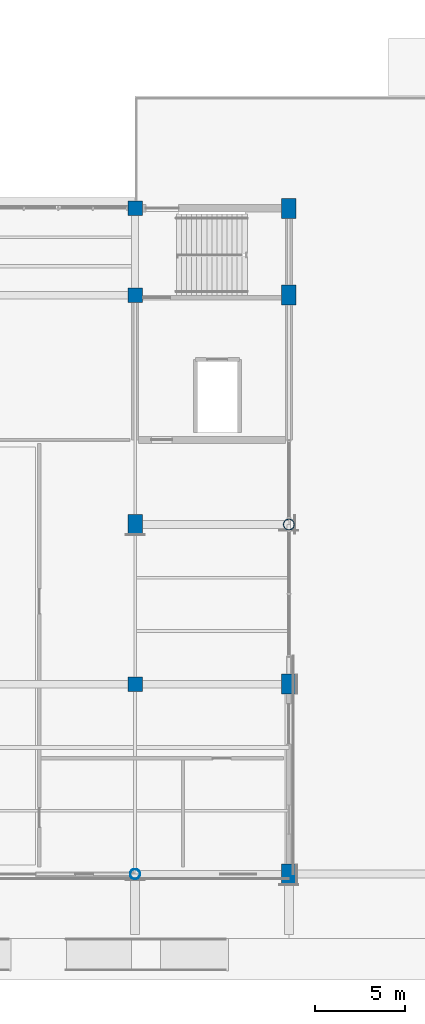
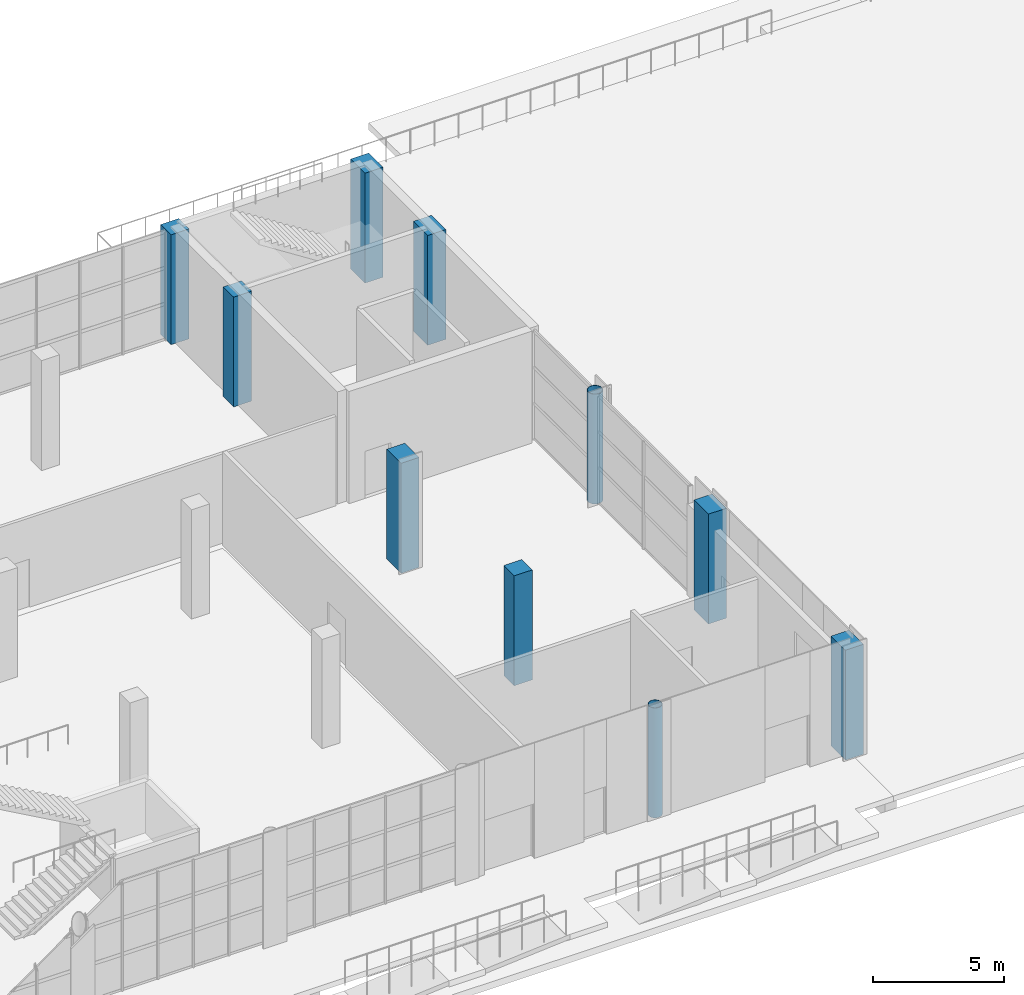
# One storey, part 4 of 90: 10 columns.
"""IFC4 building model written with IfcOpenShell, lengths in metres."""

from ifc_helpers import new_model, si_unit, direction, frame, origin, origin_2d, place, context, subcontext, project, spatial, rectangle, hollow_circle, extrude, material, material_profile, profile_set, type_object, element, save


model = new_model("IFC4")

# Units and contexts
model_context = context("Model", 3, precision=1e-05, world=origin(), true_north=direction((0.0, 1.0)))
body_context = subcontext(model_context, "Body", "Model", "MODEL_VIEW")
ifc_project = project(units=[si_unit("LENGTHUNIT", "METRE"), si_unit("AREAUNIT", "SQUARE_METRE"), si_unit("VOLUMEUNIT", "CUBIC_METRE"), si_unit("PLANEANGLEUNIT", "RADIAN"), si_unit("MASSUNIT", "GRAM", prefix="KILO")], contexts=[model_context])

# Site, building, storey
site_placement = place(None, origin())
site = spatial("IfcSite", under=ifc_project, at=site_placement, CompositionType="ELEMENT")
building_placement = place(site_placement, origin())
building = spatial("IfcBuilding", under=site, at=building_placement, Name="Solvikara Media Centre", CompositionType="ELEMENT")
storey_placement = place(building_placement, origin())
storey = spatial("IfcBuildingStorey", under=building, at=storey_placement, Name="L00", CompositionType="ELEMENT", Elevation=0.0)

# Columns
ifc_material_1 = material(Name="Concrete fc' 45 MPa (C45/55)", Category="concrete")
ifc_material_profile_1 = material_profile(ifc_material_1, rectangle(XDim=0.800048828125, YDim=0.800048828125, at=origin_2d()), Name="RC 800x800")
ifc_profile_set_1 = profile_set([ifc_material_profile_1], Name="Concrete fc' 45 MPa (C45/55)")
column_type_1 = type_object("IfcColumnType", Name="CL-05", PredefinedType="COLUMN", material=ifc_profile_set_1)
for number, where, z_axis, x_axis, name in (
    (1, (68.0, 10.5, 0.0), (0.0, 0.0, 1.0), (1.0, 0.0, 0.0), "C-L00-0680-0105"),
    (2, (68.0, 32.0, 0.0), (0.0, 0.0, 1.0), (1.0, 0.0, 0.0), "C-L00-0680-0320"),
    (3, (68.0, 36.800048828125, 0.0), (0.0, 0.0, 1.0), (1.0, 0.0, 0.0), "C-L00-0680-0368"),
):
    element("IfcColumn", number, at=place(storey_placement, frame(where, z_axis=z_axis, x_axis=x_axis)), inside=storey, type_object=column_type_1, Name=name, PredefinedType="COLUMN", context=body_context, shape_type="SweptSolid", body=[
        extrude(rectangle(XDim=0.800048828125, YDim=0.800048828125, at=origin_2d()), origin(), (0.0, 0.0, 1.0), 5.139892578125),
    ])
ifc_material_profile_2 = material_profile(ifc_material_1, rectangle(XDim=0.800048828125, YDim=1.10009765625, at=origin_2d()), Name="RC 800x1100")
ifc_profile_set_2 = profile_set([ifc_material_profile_2], Name="Concrete fc' 45 MPa (C45/55)")
column_type_2 = type_object("IfcColumnType", Name="CL-17", PredefinedType="COLUMN", material=ifc_profile_set_2)
for number, where, z_axis, x_axis, name in (
    (4, (76.5, 0.0, 0.0), (0.0, 0.0, 1.0), (1.0, 0.0, 0.0), "C-L00-0765-0000"),
    (5, (76.5, 10.5, 0.0), (0.0, 0.0, 1.0), (1.0, 0.0, 0.0), "C-L00-0765-0105"),
    (6, (76.5, 32.0, 0.0), (0.0, 0.0, 1.0), (1.0, 0.0, 0.0), "C-L00-0765-0320"),
    (7, (76.5, 36.800048828125, 0.0), (0.0, 0.0, 1.0), (1.0, 0.0, 0.0), "C-L00-0765-0368"),
    (8, (68.0, 19.323974609375, 0.0), (0.0, 0.0, 1.0), (1.0, 0.0, 0.0), "C-L00-0680-0193"),
):
    element("IfcColumn", number, at=place(storey_placement, frame(where, z_axis=z_axis, x_axis=x_axis)), inside=storey, type_object=column_type_2, Name=name, PredefinedType="COLUMN", context=body_context, shape_type="SweptSolid", body=[
        extrude(rectangle(XDim=0.800048828125, YDim=1.10009765625, at=origin_2d()), origin(), (0.0, 0.0, 1.0), 5.139892578125),
    ])
ifc_material_2 = material(Name="Steel S355JR", Category="steel")
ifc_material_profile_3 = material_profile(ifc_material_2, hollow_circle(Radius=0.304931640625, WallThickness=0.02001953125, at=origin_2d()), Name="CHS 610x20")
ifc_profile_set_3 = profile_set([ifc_material_profile_3], Name="Steel S355JR")
column_type_3 = type_object("IfcColumnType", Name="CL-23", PredefinedType="COLUMN", material=ifc_profile_set_3)
column_1_placement = place(storey_placement, frame((76.5, 19.323974609375, 0.0), z_axis=(0.0, 0.0, 1.0), x_axis=(1.0, 0.0, 0.0)))
element("IfcColumn", 9, at=column_1_placement, inside=storey, type_object=column_type_3, Name="C-L00-0765-0193", PredefinedType="COLUMN", context=body_context, shape_type="SweptSolid", body=[
    extrude(hollow_circle(Radius=0.304931640625, WallThickness=0.02001953125, at=origin_2d()), origin(), (0.0, 0.0, 1.0), 5.139892578125),
])
ifc_material_profile_4 = material_profile(ifc_material_2, hollow_circle(Radius=0.279541015625, WallThickness=0.01611328125, at=origin_2d()), Name="CHS 559x16")
ifc_profile_set_4 = profile_set([ifc_material_profile_4], Name="Steel S355JR")
column_type_4 = type_object("IfcColumnType", Name="CL-24", PredefinedType="COLUMN", material=ifc_profile_set_4)
column_2_placement = place(storey_placement, frame((68.0, 0.0, 0.0), z_axis=(0.0, 0.0, 1.0), x_axis=(1.0, 0.0, 0.0)))
element("IfcColumn", 10, at=column_2_placement, inside=storey, type_object=column_type_4, Name="C-L00-0680-0000", PredefinedType="COLUMN", context=body_context, shape_type="SweptSolid", body=[
    extrude(hollow_circle(Radius=0.279541015625, WallThickness=0.01611328125, at=origin_2d()), origin(), (0.0, 0.0, 1.0), 5.139892578125),
])

save(model, "model.ifc")
